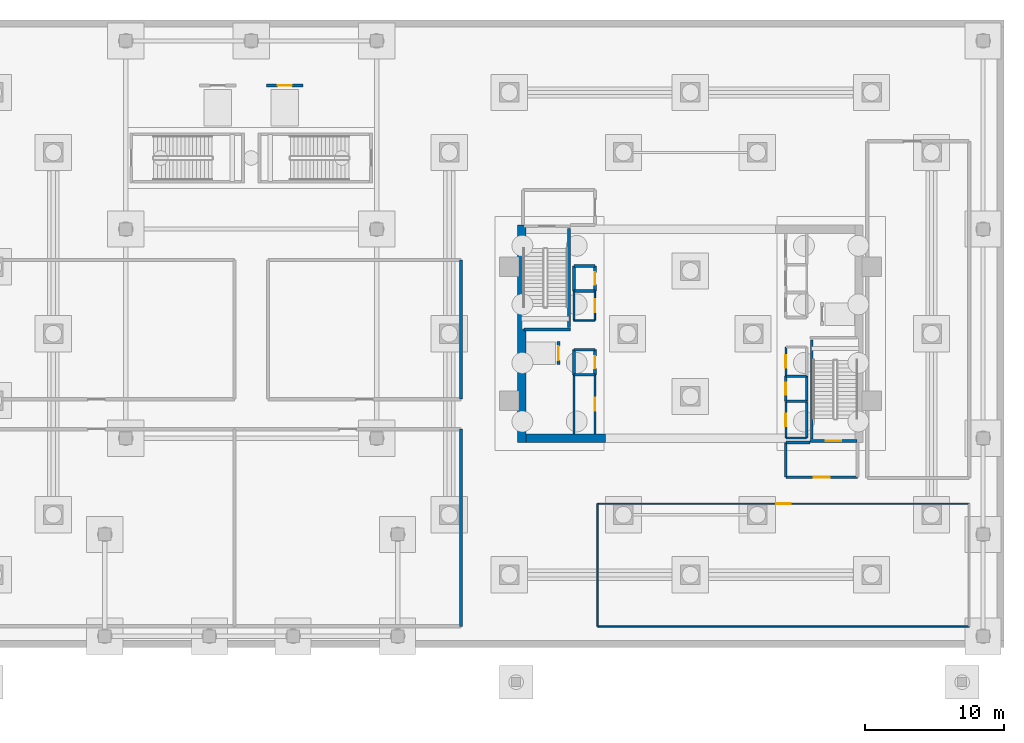
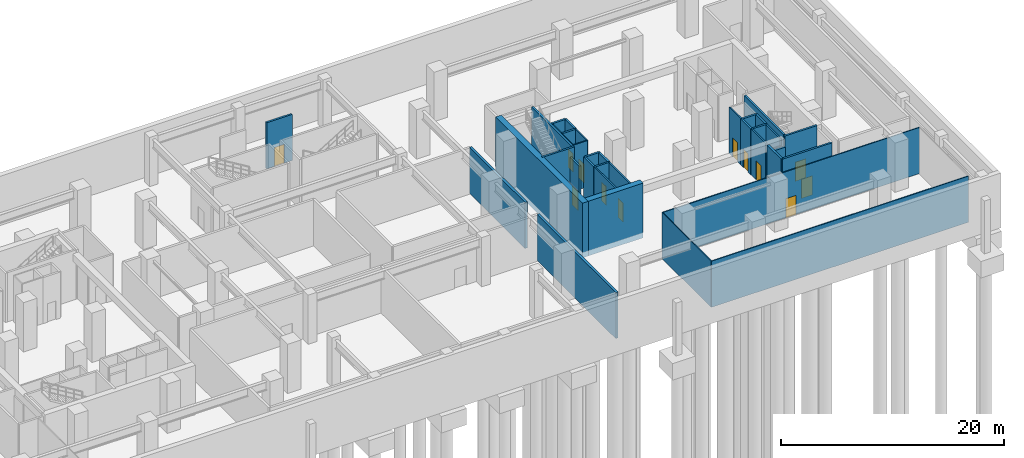
# One storey, part 9 of 14: 37 walls, 12 doors, 12 openings.
"""IFC4 building model written with IfcOpenShell, lengths in metres."""

from ifc_helpers import new_model, si_unit, direction, frame, frame_2d, origin, place, context, subcontext, project, spatial, rectangle, extrude, material, layer, layer_set, type_object, element, fill, save


model = new_model("IFC4")

# Units and contexts
model_context = context("Model", 3, precision=1e-05, world=origin(), true_north=direction((0.0, 1.0)))
body_context = subcontext(model_context, "Body", "Model", "MODEL_VIEW")
ifc_project = project(units=[si_unit("LENGTHUNIT", "METRE"), si_unit("AREAUNIT", "SQUARE_METRE"), si_unit("VOLUMEUNIT", "CUBIC_METRE"), si_unit("PLANEANGLEUNIT", "RADIAN"), si_unit("MASSUNIT", "GRAM", prefix="KILO")], contexts=[model_context])

# Site, building, storey
site_placement = place(None, origin())
site = spatial("IfcSite", under=ifc_project, at=site_placement, CompositionType="ELEMENT")
building_placement = place(site_placement, origin())
building = spatial("IfcBuilding", under=site, at=building_placement, Name="Thornwick Lancets Civic Towers", CompositionType="ELEMENT")
storey_placement = place(building_placement, frame((0.0, 0.0, -5.39990234375)))
storey = spatial("IfcBuildingStorey", under=building, at=storey_placement, Name="B01", CompositionType="ELEMENT", Elevation=-5.39990234375)

# Wall, opening, door
ifc_material_1 = material(Name="Concrete blockwork C40/50", Category="masonry")
ifc_layer_1 = layer(ifc_material_1, 0.199951171875, Name="Concrete blockwork C40/50")
ifc_layer_set_1 = layer_set([ifc_layer_1], Name="Concrete blockwork C40/50")
wall_type_1 = type_object("IfcWallType", Name="WALL_COMP_200", PredefinedType="STANDARD", material=ifc_layer_set_1)
wall_1_placement = place(storey_placement, frame((79.050048828125, 24.780029296875, 0.0), z_axis=(0.0, 0.0, 1.0), x_axis=(0.0, 1.0, 0.0)))
wall_1 = element("IfcWall", 1, at=wall_1_placement, inside=storey, type_object=wall_type_1, Name="B01 Hoistway Front Wall FL-B2", PredefinedType="STANDARD", context=body_context, shape_type="SweptSolid", body=[
    extrude(rectangle(XDim=1.639892578125, YDim=0.199951171875, at=frame_2d((0.81982421875, 0.0))), origin(), (0.0, 0.0, 1.0), 5.059814453125),
])
opening_1_placement = place(wall_1_placement, frame((0.31005859375, 0.0, 0.0)))
opening_1 = element("IfcOpeningElement", 2, at=opening_1_placement, cuts=wall_1, Name="Opening LD-FL-B2", PredefinedType="OPENING", context=body_context, shape_type="SweptSolid", body=[
    extrude(rectangle(XDim=1.02001953125, YDim=2.06005859375, at=frame_2d((0.510009765625, 1.030029296875))), frame((0.0, 0.10986328125, 0.0), z_axis=(0.0, -1.0, 0.0), x_axis=(1.0, 0.0, 0.0)), (0.0, 0.0, 1.0), 0.219970703125),
])
ifc_material_2 = material(Name="Brushed bronze stainless steel", Category="steel")
door_type_1 = type_object("IfcDoorType", Name="DOOR_LIFT_SLIDE", OperationType="SLIDING_TO_LEFT", PredefinedType="DOOR", material=ifc_material_2)
door_1_placement = place(opening_1_placement, origin())
door_1 = element("IfcDoor", 3, at=door_1_placement, inside=storey, type_object=door_type_1, Name="B01 Sliding Lift Landing Door LD-FL-B2", OperationType="SLIDING_TO_LEFT", OverallHeight=2.06005859375, OverallWidth=1.02001953125, PredefinedType="DOOR", context=body_context, shape_type="SweptSolid", body=[
    extrude(rectangle(XDim=1.02001953125, YDim=2.06005859375, at=frame_2d((0.510009765625, 1.030029296875))), frame((0.0, 0.02490234375, 0.0), z_axis=(0.0, -1.0, 0.0), x_axis=(1.0, 0.0, 0.0)), (0.0, 0.0, 1.0), 0.050048828125),
])
fill(opening_1, door_1)

wall_2_placement = place(storey_placement, frame((58.080078125, 44.800048828125, 0.0), z_axis=(0.0, 0.0, 1.0), x_axis=(1.0, 0.0, 0.0)))
wall_2 = element("IfcWall", 4, at=wall_2_placement, inside=storey, type_object=wall_type_1, Name="B01 Hoistway Front Wall GL-P2", PredefinedType="STANDARD", context=body_context, shape_type="SweptSolid", body=[
    extrude(rectangle(XDim=2.639892578125, YDim=0.199951171875, at=frame_2d((1.31982421875, 0.0))), origin(), (0.0, 0.0, 1.0), 5.059814453125),
])
opening_2_placement = place(wall_2_placement, frame((0.81005859375, 0.0, 0.0)))
opening_2 = element("IfcOpeningElement", 5, at=opening_2_placement, cuts=wall_2, Name="Opening LD-GL-P2", PredefinedType="OPENING", context=body_context, shape_type="SweptSolid", body=[
    extrude(rectangle(XDim=1.02001953125, YDim=2.06005859375, at=frame_2d((0.510009765625, 1.030029296875))), frame((0.0, 0.10986328125, 0.0), z_axis=(0.0, -1.0, 0.0), x_axis=(1.0, 0.0, 0.0)), (0.0, 0.0, 1.0), 0.219970703125),
])
door_2_placement = place(opening_2_placement, origin())
door_2 = element("IfcDoor", 6, at=door_2_placement, inside=storey, type_object=door_type_1, Name="B01 Sliding Lift Landing Door LD-GL-P2", OperationType="SLIDING_TO_LEFT", OverallHeight=2.06005859375, OverallWidth=1.02001953125, PredefinedType="DOOR", context=body_context, shape_type="SweptSolid", body=[
    extrude(rectangle(XDim=1.02001953125, YDim=2.06005859375, at=frame_2d((0.510009765625, 1.030029296875))), frame((0.0, 0.02490234375, 0.0), z_axis=(0.0, -1.0, 0.0), x_axis=(1.0, 0.0, 0.0)), (0.0, 0.0, 1.0), 0.050048828125),
])
fill(opening_2, door_2)

wall_3_placement = place(storey_placement, frame((95.35009765625, 16.699951171875, 0.0), z_axis=(0.0, 0.0, 1.0), x_axis=(1.0, 0.0, 0.0)))
wall_3 = element("IfcWall", 7, at=wall_3_placement, inside=storey, type_object=wall_type_1, Name="B01 Partition B01-B-FFLOB1 E1", PredefinedType="STANDARD", context=body_context, shape_type="SweptSolid", body=[
    extrude(rectangle(XDim=5.14990234375, YDim=0.199951171875, at=frame_2d((2.574951171875, 0.0))), origin(), (0.0, 0.0, 1.0), 5.059814453125),
])
opening_3_placement = place(wall_3_placement, frame((2.0, 0.0, 0.0)))
opening_3 = element("IfcOpeningElement", 8, at=opening_3_placement, cuts=wall_3, Name="Opening D-B01-0019", PredefinedType="OPENING", context=body_context, shape_type="SweptSolid", body=[
    extrude(rectangle(XDim=1.14990234375, YDim=2.10009765625, at=frame_2d((0.574951171875, 1.050048828125))), frame((0.0, 0.10986328125, 0.0), z_axis=(0.0, -1.0, 0.0), x_axis=(1.0, 0.0, 0.0)), (0.0, 0.0, 1.0), 0.219970703125),
])
ifc_material_3 = material(Name="Glazed fire-resisting steel", Category="steel")
door_type_2 = type_object("IfcDoorType", Name="DOOR_LOBBY_FD60", OperationType="NOTDEFINED", PredefinedType="DOOR", material=ifc_material_3)
door_3_placement = place(opening_3_placement, origin())
door_3 = element("IfcDoor", 9, at=door_3_placement, inside=storey, type_object=door_type_2, Name="B01 East Firefighting Lobby 1 Door", OperationType="SINGLE_SWING_RIGHT", OverallHeight=2.10009765625, OverallWidth=1.14990234375, PredefinedType="DOOR", context=body_context, shape_type="SweptSolid", body=[
    extrude(rectangle(XDim=1.14990234375, YDim=2.10009765625, at=frame_2d((0.574951171875, 1.050048828125))), frame((0.0, 0.02490234375, 0.0), z_axis=(0.0, -1.0, 0.0), x_axis=(1.0, 0.0, 0.0)), (0.0, 0.0, 1.0), 0.050048828125),
])
fill(opening_3, door_3)

# Walls
wall_4_placement = place(storey_placement, frame((97.10009765625, 19.199951171875, 0.0), z_axis=(0.0, 0.0, 1.0), x_axis=(-1.0, 0.0, 0.0)))
element("IfcWall", 10, at=wall_4_placement, inside=storey, type_object=wall_type_1, Name="B01 Partition B01-B-FFLOB1 E3", PredefinedType="STANDARD", context=body_context, shape_type="SweptSolid", body=[
    extrude(rectangle(XDim=1.75, YDim=0.199951171875, at=frame_2d((0.875, 0.0))), origin(), (0.0, 0.0, 1.0), 4.264892578125),
])
wall_5_placement = place(storey_placement, frame((95.35009765625, 19.199951171875, 0.0), z_axis=(0.0, 0.0, 1.0), x_axis=(0.0, -1.0, 0.0)))
element("IfcWall", 11, at=wall_5_placement, inside=storey, type_object=wall_type_1, Name="B01 Partition B01-B-FFLOB1 E4", PredefinedType="STANDARD", context=body_context, shape_type="SweptSolid", body=[
    extrude(rectangle(XDim=2.5, YDim=0.199951171875, at=frame_2d((1.25, 0.0))), origin(), (0.0, 0.0, 1.0), 5.059814453125),
])
wall_6_placement = place(storey_placement, frame((95.35009765625, 22.14990234375, 0.0), z_axis=(0.0, 0.0, 1.0), x_axis=(1.0, 0.0, 0.0)))
element("IfcWall", 12, at=wall_6_placement, inside=storey, type_object=wall_type_1, Name="B01 Partition B01-B-RISER1 E1", PredefinedType="STANDARD", context=body_context, shape_type="SweptSolid", body=[
    extrude(rectangle(XDim=1.5, YDim=0.199951171875, at=frame_2d((0.75, 0.0))), origin(), (0.0, 0.0, 1.0), 5.059814453125),
])
wall_7_placement = place(storey_placement, frame((96.85009765625, 22.14990234375, 0.0), z_axis=(0.0, 0.0, 1.0), x_axis=(0.0, 1.0, 0.0)))
element("IfcWall", 13, at=wall_7_placement, inside=storey, type_object=wall_type_1, Name="B01 Partition B01-B-RISER1 E2", PredefinedType="STANDARD", context=body_context, shape_type="SweptSolid", body=[
    extrude(rectangle(XDim=1.800048828125, YDim=0.199951171875, at=frame_2d((0.89990234375, 0.0))), origin(), (0.0, 0.0, 1.0), 5.059814453125),
])
wall_8_placement = place(storey_placement, frame((96.85009765625, 23.949951171875, 0.0), z_axis=(0.0, 0.0, 1.0), x_axis=(-1.0, 0.0, 0.0)))
element("IfcWall", 14, at=wall_8_placement, inside=storey, type_object=wall_type_1, Name="B01 Partition B01-B-RISER1 E3", PredefinedType="STANDARD", context=body_context, shape_type="SweptSolid", body=[
    extrude(rectangle(XDim=1.5, YDim=0.199951171875, at=frame_2d((0.75, 0.0))), origin(), (0.0, 0.0, 1.0), 5.059814453125),
])

# Wall, opening, door
wall_9_placement = place(storey_placement, frame((95.35009765625, 23.949951171875, 0.0), z_axis=(0.0, 0.0, 1.0), x_axis=(0.0, -1.0, 0.0)))
wall_9 = element("IfcWall", 15, at=wall_9_placement, inside=storey, type_object=wall_type_1, Name="B01 Partition B01-B-RISER1 E4", PredefinedType="STANDARD", context=body_context, shape_type="SweptSolid", body=[
    extrude(rectangle(XDim=1.800048828125, YDim=0.199951171875, at=frame_2d((0.89990234375, 0.0))), origin(), (0.0, 0.0, 1.0), 5.059814453125),
])
opening_4_placement = place(wall_9_placement, frame((0.4599609375, 0.0, 0.0)))
opening_4 = element("IfcOpeningElement", 16, at=opening_4_placement, cuts=wall_9, Name="Opening D-B01-0022", PredefinedType="OPENING", context=body_context, shape_type="SweptSolid", body=[
    extrude(rectangle(XDim=0.8798828125, YDim=2.0400390625, at=frame_2d((0.43994140625, 1.02001953125))), frame((0.0, 0.10986328125, 0.0), z_axis=(0.0, -1.0, 0.0), x_axis=(1.0, 0.0, 0.0)), (0.0, 0.0, 1.0), 0.219970703125),
])
ifc_material_4 = material(Name="Steel riser access doorset", Category="steel")
door_type_3 = type_object("IfcDoorType", Name="DOOR_RISER_850", OperationType="NOTDEFINED", PredefinedType="DOOR", material=ifc_material_4)
door_4_placement = place(opening_4_placement, origin())
door_4 = element("IfcDoor", 17, at=door_4_placement, inside=storey, type_object=door_type_3, Name="B01 East Electrical Riser 1 Door", OperationType="SINGLE_SWING_LEFT", OverallHeight=2.0400390625, OverallWidth=0.8798828125, PredefinedType="DOOR", context=body_context, shape_type="SweptSolid", body=[
    extrude(rectangle(XDim=0.8798828125, YDim=2.0400390625, at=frame_2d((0.43994140625, 1.02001953125))), frame((0.0, 0.02490234375, 0.0), z_axis=(0.0, -1.0, 0.0), x_axis=(1.0, 0.0, 0.0)), (0.0, 0.0, 1.0), 0.050048828125),
])
fill(opening_4, door_4)

# Wall
wall_10_placement = place(storey_placement, frame((80.14990234375, 24.050048828125, 0.0), z_axis=(0.0, 0.0, 1.0), x_axis=(1.0, 0.0, 0.0)))
element("IfcWall", 18, at=wall_10_placement, inside=storey, type_object=wall_type_1, Name="B01 Partition B01-B-DUCT2 E1", PredefinedType="STANDARD", context=body_context, shape_type="SweptSolid", body=[
    extrude(rectangle(XDim=1.5, YDim=0.199951171875, at=frame_2d((0.75, 0.0))), origin(), (0.0, 0.0, 1.0), 5.059814453125),
])

# Wall, opening, door
wall_11_placement = place(storey_placement, frame((81.64990234375, 24.050048828125, 0.0), z_axis=(0.0, 0.0, 1.0), x_axis=(0.0, 1.0, 0.0)))
wall_11 = element("IfcWall", 19, at=wall_11_placement, inside=storey, type_object=wall_type_1, Name="B01 Partition B01-B-DUCT2 E2", PredefinedType="STANDARD", context=body_context, shape_type="SweptSolid", body=[
    extrude(rectangle(XDim=1.800048828125, YDim=0.199951171875, at=frame_2d((0.89990234375, 0.0))), origin(), (0.0, 0.0, 1.0), 5.059814453125),
])
opening_5_placement = place(wall_11_placement, frame((0.4599609375, 0.0, 0.0)))
opening_5 = element("IfcOpeningElement", 20, at=opening_5_placement, cuts=wall_11, Name="Opening D-B01-0023", PredefinedType="OPENING", context=body_context, shape_type="SweptSolid", body=[
    extrude(rectangle(XDim=0.8798828125, YDim=2.0400390625, at=frame_2d((0.43994140625, 1.02001953125))), frame((0.0, 0.10986328125, 0.0), z_axis=(0.0, -1.0, 0.0), x_axis=(1.0, 0.0, 0.0)), (0.0, 0.0, 1.0), 0.219970703125),
])
door_5_placement = place(opening_5_placement, origin())
door_5 = element("IfcDoor", 21, at=door_5_placement, inside=storey, type_object=door_type_3, Name="B01 West Service Duct 2 Door", OperationType="SINGLE_SWING_RIGHT", OverallHeight=2.0400390625, OverallWidth=0.8798828125, PredefinedType="DOOR", context=body_context, shape_type="SweptSolid", body=[
    extrude(rectangle(XDim=0.8798828125, YDim=2.0400390625, at=frame_2d((0.43994140625, 1.02001953125))), frame((0.0, 0.02490234375, 0.0), z_axis=(0.0, -1.0, 0.0), x_axis=(1.0, 0.0, 0.0)), (0.0, 0.0, 1.0), 0.050048828125),
])
fill(opening_5, door_5)

# Walls
wall_12_placement = place(storey_placement, frame((81.64990234375, 25.85009765625, 0.0), z_axis=(0.0, 0.0, 1.0), x_axis=(-1.0, 0.0, 0.0)))
element("IfcWall", 22, at=wall_12_placement, inside=storey, type_object=wall_type_1, Name="B01 Partition B01-B-DUCT2 E3", PredefinedType="STANDARD", context=body_context, shape_type="SweptSolid", body=[
    extrude(rectangle(XDim=1.5, YDim=0.199951171875, at=frame_2d((0.75, 0.0))), origin(), (0.0, 0.0, 1.0), 5.059814453125),
])
wall_13_placement = place(storey_placement, frame((80.14990234375, 25.85009765625, 0.0), z_axis=(0.0, 0.0, 1.0), x_axis=(0.0, -1.0, 0.0)))
element("IfcWall", 23, at=wall_13_placement, inside=storey, type_object=wall_type_1, Name="B01 Partition B01-B-DUCT2 E4", PredefinedType="STANDARD", context=body_context, shape_type="SweptSolid", body=[
    extrude(rectangle(XDim=1.800048828125, YDim=0.199951171875, at=frame_2d((0.89990234375, 0.0))), origin(), (0.0, 0.0, 1.0), 5.059814453125),
])
wall_14_placement = place(storey_placement, frame((80.14990234375, 30.050048828125, 0.0), z_axis=(0.0, 0.0, 1.0), x_axis=(1.0, 0.0, 0.0)))
element("IfcWall", 24, at=wall_14_placement, inside=storey, type_object=wall_type_1, Name="B01 Partition B01-B-RISER2 E1", PredefinedType="STANDARD", context=body_context, shape_type="SweptSolid", body=[
    extrude(rectangle(XDim=1.5, YDim=0.199951171875, at=frame_2d((0.75, 0.0))), origin(), (0.0, 0.0, 1.0), 5.059814453125),
])

# Wall, opening, door
wall_15_placement = place(storey_placement, frame((81.64990234375, 30.050048828125, 0.0), z_axis=(0.0, 0.0, 1.0), x_axis=(0.0, 1.0, 0.0)))
wall_15 = element("IfcWall", 25, at=wall_15_placement, inside=storey, type_object=wall_type_1, Name="B01 Partition B01-B-RISER2 E2", PredefinedType="STANDARD", context=body_context, shape_type="SweptSolid", body=[
    extrude(rectangle(XDim=1.800048828125, YDim=0.199951171875, at=frame_2d((0.89990234375, 0.0))), origin(), (0.0, 0.0, 1.0), 5.059814453125),
])
opening_6_placement = place(wall_15_placement, frame((0.4599609375, 0.0, 0.0)))
opening_6 = element("IfcOpeningElement", 26, at=opening_6_placement, cuts=wall_15, Name="Opening D-B01-0024", PredefinedType="OPENING", context=body_context, shape_type="SweptSolid", body=[
    extrude(rectangle(XDim=0.8798828125, YDim=2.0400390625, at=frame_2d((0.43994140625, 1.02001953125))), frame((0.0, 0.10986328125, 0.0), z_axis=(0.0, -1.0, 0.0), x_axis=(1.0, 0.0, 0.0)), (0.0, 0.0, 1.0), 0.219970703125),
])
door_6_placement = place(opening_6_placement, origin())
door_6 = element("IfcDoor", 27, at=door_6_placement, inside=storey, type_object=door_type_3, Name="B01 West Service Riser 2 Door", OperationType="SINGLE_SWING_LEFT", OverallHeight=2.0400390625, OverallWidth=0.8798828125, PredefinedType="DOOR", context=body_context, shape_type="SweptSolid", body=[
    extrude(rectangle(XDim=0.8798828125, YDim=2.0400390625, at=frame_2d((0.43994140625, 1.02001953125))), frame((0.0, 0.02490234375, 0.0), z_axis=(0.0, -1.0, 0.0), x_axis=(1.0, 0.0, 0.0)), (0.0, 0.0, 1.0), 0.050048828125),
])
fill(opening_6, door_6)

# Walls
wall_16_placement = place(storey_placement, frame((81.64990234375, 31.85009765625, 0.0), z_axis=(0.0, 0.0, 1.0), x_axis=(-1.0, 0.0, 0.0)))
element("IfcWall", 28, at=wall_16_placement, inside=storey, type_object=wall_type_1, Name="B01 Partition B01-B-RISER2 E3", PredefinedType="STANDARD", context=body_context, shape_type="SweptSolid", body=[
    extrude(rectangle(XDim=1.5, YDim=0.199951171875, at=frame_2d((0.75, 0.0))), origin(), (0.0, 0.0, 1.0), 5.059814453125),
])
wall_17_placement = place(storey_placement, frame((80.14990234375, 31.85009765625, 0.0), z_axis=(0.0, 0.0, 1.0), x_axis=(0.0, -1.0, 0.0)))
element("IfcWall", 29, at=wall_17_placement, inside=storey, type_object=wall_type_1, Name="B01 Partition B01-B-RISER2 E4", PredefinedType="STANDARD", context=body_context, shape_type="SweptSolid", body=[
    extrude(rectangle(XDim=1.800048828125, YDim=0.199951171875, at=frame_2d((0.89990234375, 0.0))), origin(), (0.0, 0.0, 1.0), 5.059814453125),
])
ifc_layer_2 = layer(ifc_material_1, 0.239990234375, Name="Concrete blockwork C40/50")
ifc_layer_set_2 = layer_set([ifc_layer_2], Name="Concrete blockwork C40/50")
wall_type_2 = type_object("IfcWallType", Name="WALL_COMP_240", PredefinedType="STANDARD", material=ifc_layer_set_2)
wall_18_placement = place(storey_placement, frame((72.050048828125, 20.14990234375, 0.0), z_axis=(0.0, 0.0, 1.0), x_axis=(0.0, -1.0, 0.0)))
element("IfcWall", 30, at=wall_18_placement, inside=storey, type_object=wall_type_2, Name="B01 Partition B01-HV E4", PredefinedType="STANDARD", context=body_context, shape_type="SweptSolid", body=[
    extrude(rectangle(XDim=14.14990234375, YDim=0.239990234375, at=frame_2d((7.074951171875, 0.0))), origin(), (0.0, 0.0, 1.0), 5.059814453125),
])
wall_19_placement = place(storey_placement, frame((72.050048828125, 32.280029296875, 0.0), z_axis=(0.0, 0.0, 1.0), x_axis=(0.0, -1.0, 0.0)))
element("IfcWall", 31, at=wall_19_placement, inside=storey, type_object=wall_type_2, Name="B01 Partition B01-AHU E4", PredefinedType="STANDARD", context=body_context, shape_type="SweptSolid", body=[
    extrude(rectangle(XDim=9.97998046875, YDim=0.239990234375, at=frame_2d((4.989990234375, 0.0))), origin(), (0.0, 0.0, 1.0), 5.059814453125),
])
ifc_material_5 = material(Name="Concrete C60/75", Category="concrete")
ifc_layer_3 = layer(ifc_material_5, 0.60009765625, Name="Concrete C60/75")
ifc_layer_set_3 = layer_set([ifc_layer_3], Name="Concrete C60/75")
wall_type_3 = type_object("IfcWallType", Name="WALL_CORE_600", PredefinedType="SHEAR", material=ifc_layer_set_3)
wall_20_placement = place(storey_placement, frame((76.39990234375, 19.199951171875, -0.60009765625), z_axis=(0.0, 0.0, 1.0), x_axis=(0.0, 1.0, 0.0)))
element("IfcWall", 32, at=wall_20_placement, inside=storey, type_object=wall_type_3, Name="B01 Split Core B2 Shear Wall W", PredefinedType="SHEAR", context=body_context, shape_type="SweptSolid", body=[
    extrude(rectangle(XDim=15.60009765625, YDim=0.60009765625, at=frame_2d((7.800048828125, 0.0))), origin(), (0.0, 0.0, 1.0), 6.0),
])
wall_21_placement = place(storey_placement, frame((76.699951171875, 19.5, -0.60009765625), z_axis=(0.0, 0.0, 1.0), x_axis=(1.0, 0.0, 0.0)))
element("IfcWall", 33, at=wall_21_placement, inside=storey, type_object=wall_type_3, Name="B01 Split Core B2 Shear Wall S", PredefinedType="SHEAR", context=body_context, shape_type="SweptSolid", body=[
    extrude(rectangle(XDim=5.699951171875, YDim=0.60009765625, at=frame_2d((2.85009765625, 0.0))), origin(), (0.0, 0.0, 1.0), 6.0),
])
ifc_material_6 = material(Name="Lightweight cellular office partition")
ifc_layer_4 = layer(ifc_material_6, 0.10009765625, Name="Lightweight cellular office partition")
ifc_layer_set_4 = layer_set([ifc_layer_4], Name="Lightweight cellular office partition")
wall_type_4 = type_object("IfcWallType", Name="WALL_PART_100", PredefinedType="PARTITIONING", material=ifc_layer_set_4)
wall_22_placement = place(storey_placement, frame((108.5, 6.0, 0.0), z_axis=(0.0, 0.0, 1.0), x_axis=(-1.0, 0.0, 0.0)))
element("IfcWall", 34, at=wall_22_placement, inside=storey, type_object=wall_type_4, Name="B01 Partition B01-STORE E1", PredefinedType="PARTITIONING", context=body_context, shape_type="SweptSolid", body=[
    extrude(rectangle(XDim=26.64990234375, YDim=0.10009765625, at=frame_2d((13.324951171875, 0.0))), origin(), (0.0, 0.0, 1.0), 5.059814453125),
])
wall_23_placement = place(storey_placement, frame((81.85009765625, 6.0, 0.0), z_axis=(0.0, 0.0, 1.0), x_axis=(0.0, 1.0, 0.0)))
element("IfcWall", 35, at=wall_23_placement, inside=storey, type_object=wall_type_4, Name="B01 Partition B01-STORE E2", PredefinedType="PARTITIONING", context=body_context, shape_type="SweptSolid", body=[
    extrude(rectangle(XDim=8.800048828125, YDim=0.10009765625, at=frame_2d((4.39990234375, 0.0))), origin(), (0.0, 0.0, 1.0), 5.059814453125),
])

# Wall, opening, door
wall_24_placement = place(storey_placement, frame((81.85009765625, 14.800048828125, 0.0), z_axis=(0.0, 0.0, 1.0), x_axis=(1.0, 0.0, 0.0)))
wall_24 = element("IfcWall", 36, at=wall_24_placement, inside=storey, type_object=wall_type_4, Name="B01 Partition B01-STORE E3", PredefinedType="PARTITIONING", context=body_context, shape_type="SweptSolid", body=[
    extrude(rectangle(XDim=26.64990234375, YDim=0.10009765625, at=frame_2d((13.324951171875, 0.0))), origin(), (0.0, 0.0, 1.0), 5.059814453125),
])
opening_7_placement = place(wall_24_placement, frame((12.800048828125, 0.0, 0.0)))
opening_7 = element("IfcOpeningElement", 37, at=opening_7_placement, cuts=wall_24, Name="Opening D-B01-0034", PredefinedType="OPENING", context=body_context, shape_type="SweptSolid", body=[
    extrude(rectangle(XDim=1.050048828125, YDim=2.10009765625, at=frame_2d((0.52490234375, 1.050048828125))), frame((0.0, 0.06005859375, 0.0), z_axis=(0.0, -1.0, 0.0), x_axis=(1.0, 0.0, 0.0)), (0.0, 0.0, 1.0), 0.1201171875),
])
ifc_material_7 = material(Name="Glazed European oak executive doorset")
door_type_4 = type_object("IfcDoorType", Name="DOOR_OFFICE_1050", OperationType="NOTDEFINED", PredefinedType="DOOR", material=ifc_material_7)
door_7_placement = place(opening_7_placement, origin())
door_7 = element("IfcDoor", 38, at=door_7_placement, inside=storey, type_object=door_type_4, Name="Central Civic Records Store Door", OperationType="SINGLE_SWING_LEFT", OverallHeight=2.10009765625, OverallWidth=1.050048828125, PredefinedType="DOOR", context=body_context, shape_type="SweptSolid", body=[
    extrude(rectangle(XDim=1.050048828125, YDim=2.10009765625, at=frame_2d((0.52490234375, 1.050048828125))), frame((0.0, 0.02490234375, 0.0), z_axis=(0.0, -1.0, 0.0), x_axis=(1.0, 0.0, 0.0)), (0.0, 0.0, 1.0), 0.050048828125),
])
fill(opening_7, door_7)

# Walls
ifc_material_8 = material(Name="Acoustic gypsum board partition")
ifc_layer_5 = layer(ifc_material_8, 0.1201171875, Name="Acoustic gypsum board partition")
ifc_layer_set_5 = layer_set([ifc_layer_5], Name="Acoustic gypsum board partition")
wall_type_5 = type_object("IfcWallType", Name="WALL_PART_120", PredefinedType="PARTITIONING", material=ifc_layer_set_5)
wall_25_placement = place(storey_placement, frame((81.64990234375, 27.949951171875, 0.0), z_axis=(0.0, 0.0, 1.0), x_axis=(-1.0, 0.0, 0.0)))
element("IfcWall", 39, at=wall_25_placement, inside=storey, type_object=wall_type_5, Name="B01 Partition B01-B-ITR E1", PredefinedType="PARTITIONING", context=body_context, shape_type="SweptSolid", body=[
    extrude(rectangle(XDim=1.5, YDim=0.1201171875, at=frame_2d((0.75, 0.0))), origin(), (0.0, 0.0, 1.0), 5.059814453125),
])
wall_26_placement = place(storey_placement, frame((80.14990234375, 27.949951171875, 0.0), z_axis=(0.0, 0.0, 1.0), x_axis=(0.0, 1.0, 0.0)))
element("IfcWall", 40, at=wall_26_placement, inside=storey, type_object=wall_type_5, Name="B01 Partition B01-B-ITR E2", PredefinedType="PARTITIONING", context=body_context, shape_type="SweptSolid", body=[
    extrude(rectangle(XDim=2.10009765625, YDim=0.1201171875, at=frame_2d((1.050048828125, 0.0))), origin(), (0.0, 0.0, 1.0), 5.059814453125),
])

# Wall, opening, door
wall_27_placement = place(storey_placement, frame((81.64990234375, 30.050048828125, 0.0), z_axis=(0.0, 0.0, 1.0), x_axis=(0.0, -1.0, 0.0)))
wall_27 = element("IfcWall", 41, at=wall_27_placement, inside=storey, type_object=wall_type_5, Name="B01 Partition B01-B-ITR E4", PredefinedType="PARTITIONING", context=body_context, shape_type="SweptSolid", body=[
    extrude(rectangle(XDim=2.10009765625, YDim=0.1201171875, at=frame_2d((1.050048828125, 0.0))), origin(), (0.0, 0.0, 1.0), 5.059814453125),
])
opening_8_placement = place(wall_27_placement, frame((0.574951171875, 0.0, 0.0)))
opening_8 = element("IfcOpeningElement", 42, at=opening_8_placement, cuts=wall_27, Name="Opening D-B01-0030", PredefinedType="OPENING", context=body_context, shape_type="SweptSolid", body=[
    extrude(rectangle(XDim=0.949951171875, YDim=2.10009765625, at=frame_2d((0.47509765625, 1.050048828125))), frame((0.0, 0.070068359375, 0.0), z_axis=(0.0, -1.0, 0.0), x_axis=(1.0, 0.0, 0.0)), (0.0, 0.0, 1.0), 0.14013671875),
])
ifc_material_9 = material(Name="European oak acoustic doorset")
door_type_5 = type_object("IfcDoorType", Name="DOOR_OFFICE_950", OperationType="NOTDEFINED", PredefinedType="DOOR", material=ifc_material_9)
door_8_placement = place(opening_8_placement, origin())
door_8 = element("IfcDoor", 43, at=door_8_placement, inside=storey, type_object=door_type_5, Name="B01 Tower B Comms Patch Room Door", OperationType="SINGLE_SWING_LEFT", OverallHeight=2.10009765625, OverallWidth=0.949951171875, PredefinedType="DOOR", context=body_context, shape_type="SweptSolid", body=[
    extrude(rectangle(XDim=0.949951171875, YDim=2.10009765625, at=frame_2d((0.47509765625, 1.050048828125))), frame((0.0, 0.02490234375, 0.0), z_axis=(0.0, -1.0, 0.0), x_axis=(1.0, 0.0, 0.0)), (0.0, 0.0, 1.0), 0.050048828125),
])
fill(opening_8, door_8)

# Walls
ifc_material_10 = material(Name="Twin-stud acoustic gypsum board")
ifc_layer_6 = layer(ifc_material_10, 0.14990234375, Name="Twin-stud acoustic gypsum board")
ifc_layer_set_6 = layer_set([ifc_layer_6], Name="Twin-stud acoustic gypsum board")
wall_type_6 = type_object("IfcWallType", Name="WALL_PART_150", PredefinedType="PARTITIONING", material=ifc_layer_set_6)
wall_28_placement = place(storey_placement, frame((95.35009765625, 19.5, 0.0), z_axis=(0.0, 0.0, 1.0), x_axis=(1.0, 0.0, 0.0)))
element("IfcWall", 44, at=wall_28_placement, inside=storey, type_object=wall_type_6, Name="B01 Partition B01-B-MWC E1", PredefinedType="PARTITIONING", context=body_context, shape_type="SweptSolid", body=[
    extrude(rectangle(XDim=1.5, YDim=0.14990234375, at=frame_2d((0.75, 0.0))), origin(), (0.0, 0.0, 1.0), 4.264892578125),
])
wall_29_placement = place(storey_placement, frame((96.85009765625, 19.5, 0.0), z_axis=(0.0, 0.0, 1.0), x_axis=(0.0, 1.0, 0.0)))
element("IfcWall", 45, at=wall_29_placement, inside=storey, type_object=wall_type_6, Name="B01 Partition B01-B-MWC E2", PredefinedType="PARTITIONING", context=body_context, shape_type="SweptSolid", body=[
    extrude(rectangle(XDim=2.60009765625, YDim=0.14990234375, at=frame_2d((1.300048828125, 0.0))), origin(), (0.0, 0.0, 1.0), 5.059814453125),
])

# Wall, opening, door
wall_30_placement = place(storey_placement, frame((95.35009765625, 22.10009765625, 0.0), z_axis=(0.0, 0.0, 1.0), x_axis=(0.0, -1.0, 0.0)))
wall_30 = element("IfcWall", 46, at=wall_30_placement, inside=storey, type_object=wall_type_6, Name="B01 Partition B01-B-MWC E4", PredefinedType="PARTITIONING", context=body_context, shape_type="SweptSolid", body=[
    extrude(rectangle(XDim=2.60009765625, YDim=0.14990234375, at=frame_2d((1.300048828125, 0.0))), origin(), (0.0, 0.0, 1.0), 5.059814453125),
])
opening_9_placement = place(wall_30_placement, frame((0.840087890625, 0.0, 0.0)))
opening_9 = element("IfcOpeningElement", 47, at=opening_9_placement, cuts=wall_30, Name="Opening D-B01-0025", PredefinedType="OPENING", context=body_context, shape_type="SweptSolid", body=[
    extrude(rectangle(XDim=0.919921875, YDim=2.080078125, at=frame_2d((0.4599609375, 1.0400390625))), frame((0.0, 0.0849609375, 0.0), z_axis=(0.0, -1.0, 0.0), x_axis=(1.0, 0.0, 0.0)), (0.0, 0.0, 1.0), 0.169921875),
])
ifc_material_11 = material(Name="Moisture-resistant oak doorset")
door_type_6 = type_object("IfcDoorType", Name="DOOR_WC_900", OperationType="NOTDEFINED", PredefinedType="DOOR", material=ifc_material_11)
door_9_placement = place(opening_9_placement, origin())
door_9 = element("IfcDoor", 48, at=door_9_placement, inside=storey, type_object=door_type_6, Name="B01 Tower B Male WC Door", OperationType="SINGLE_SWING_RIGHT", OverallHeight=2.080078125, OverallWidth=0.919921875, PredefinedType="DOOR", context=body_context, shape_type="SweptSolid", body=[
    extrude(rectangle(XDim=0.919921875, YDim=2.080078125, at=frame_2d((0.4599609375, 1.0400390625))), frame((0.0, 0.02490234375, 0.0), z_axis=(0.0, -1.0, 0.0), x_axis=(1.0, 0.0, 0.0)), (0.0, 0.0, 1.0), 0.050048828125),
])
fill(opening_9, door_9)

wall_31_placement = place(storey_placement, frame((95.35009765625, 23.949951171875, 0.0), z_axis=(0.0, 0.0, 1.0), x_axis=(0.0, 1.0, 0.0)))
wall_31 = element("IfcWall", 49, at=wall_31_placement, inside=storey, type_object=wall_type_6, Name="B01 Partition B01-B-AWC E1", PredefinedType="PARTITIONING", context=body_context, shape_type="SweptSolid", body=[
    extrude(rectangle(XDim=2.10009765625, YDim=0.14990234375, at=frame_2d((1.050048828125, 0.0))), origin(), (0.0, 0.0, 1.0), 5.059814453125),
])
opening_10_placement = place(wall_31_placement, frame((0.590087890625, 0.0, 0.0)))
opening_10 = element("IfcOpeningElement", 50, at=opening_10_placement, cuts=wall_31, Name="Opening D-B01-0026", PredefinedType="OPENING", context=body_context, shape_type="SweptSolid", body=[
    extrude(rectangle(XDim=0.919921875, YDim=2.080078125, at=frame_2d((0.4599609375, 1.0400390625))), frame((0.0, 0.0849609375, 0.0), z_axis=(0.0, -1.0, 0.0), x_axis=(1.0, 0.0, 0.0)), (0.0, 0.0, 1.0), 0.169921875),
])
door_10_placement = place(opening_10_placement, origin())
door_10 = element("IfcDoor", 51, at=door_10_placement, inside=storey, type_object=door_type_6, Name="B01 Tower B Accessible WC Door", OperationType="SINGLE_SWING_LEFT", OverallHeight=2.080078125, OverallWidth=0.919921875, PredefinedType="DOOR", context=body_context, shape_type="SweptSolid", body=[
    extrude(rectangle(XDim=0.919921875, YDim=2.080078125, at=frame_2d((0.4599609375, 1.0400390625))), frame((0.0, 0.02490234375, 0.0), z_axis=(0.0, -1.0, 0.0), x_axis=(1.0, 0.0, 0.0)), (0.0, 0.0, 1.0), 0.050048828125),
])
fill(opening_10, door_10)

# Wall
wall_32_placement = place(storey_placement, frame((80.14990234375, 19.800048828125, 0.0), z_axis=(0.0, 0.0, 1.0), x_axis=(0.0, 1.0, 0.0)))
element("IfcWall", 52, at=wall_32_placement, inside=storey, type_object=wall_type_6, Name="B01 Partition B01-B-FWC E2", PredefinedType="PARTITIONING", context=body_context, shape_type="SweptSolid", body=[
    extrude(rectangle(XDim=4.25, YDim=0.14990234375, at=frame_2d((2.125, 0.0))), origin(), (0.0, 0.0, 1.0), 5.059814453125),
])

# Wall, opening, door
wall_33_placement = place(storey_placement, frame((81.64990234375, 24.050048828125, 0.0), z_axis=(0.0, 0.0, 1.0), x_axis=(0.0, -1.0, 0.0)))
wall_33 = element("IfcWall", 53, at=wall_33_placement, inside=storey, type_object=wall_type_6, Name="B01 Partition B01-B-FWC E4", PredefinedType="PARTITIONING", context=body_context, shape_type="SweptSolid", body=[
    extrude(rectangle(XDim=4.25, YDim=0.14990234375, at=frame_2d((2.125, 0.0))), origin(), (0.0, 0.0, 1.0), 5.059814453125),
])
opening_11_placement = place(wall_33_placement, frame((1.6650390625, 0.0, 0.0)))
opening_11 = element("IfcOpeningElement", 54, at=opening_11_placement, cuts=wall_33, Name="Opening D-B01-0029", PredefinedType="OPENING", context=body_context, shape_type="SweptSolid", body=[
    extrude(rectangle(XDim=0.919921875, YDim=2.080078125, at=frame_2d((0.4599609375, 1.0400390625))), frame((0.0, 0.0849609375, 0.0), z_axis=(0.0, -1.0, 0.0), x_axis=(1.0, 0.0, 0.0)), (0.0, 0.0, 1.0), 0.169921875),
])
door_11_placement = place(opening_11_placement, origin())
door_11 = element("IfcDoor", 55, at=door_11_placement, inside=storey, type_object=door_type_6, Name="B01 Tower B Female WC Door", OperationType="SINGLE_SWING_RIGHT", OverallHeight=2.080078125, OverallWidth=0.919921875, PredefinedType="DOOR", context=body_context, shape_type="SweptSolid", body=[
    extrude(rectangle(XDim=0.919921875, YDim=2.080078125, at=frame_2d((0.4599609375, 1.0400390625))), frame((0.0, 0.02490234375, 0.0), z_axis=(0.0, -1.0, 0.0), x_axis=(1.0, 0.0, 0.0)), (0.0, 0.0, 1.0), 0.050048828125),
])
fill(opening_11, door_11)

ifc_material_12 = material(Name="Concrete C40/50", Category="concrete")
ifc_layer_7 = layer(ifc_material_12, 0.199951171875, Name="Concrete C40/50")
ifc_layer_set_7 = layer_set([ifc_layer_7], Name="Concrete C40/50")
wall_type_7 = type_object("IfcWallType", Name="WALL_SHAFT_200", PredefinedType="SHEAR", material=ifc_layer_set_7)
wall_34_placement = place(storey_placement, frame((100.449951171875, 19.300048828125, -0.60009765625), z_axis=(0.0, 0.0, 1.0), x_axis=(-1.0, 0.0, 0.0)))
wall_34 = element("IfcWall", 56, at=wall_34_placement, inside=storey, type_object=wall_type_7, Name="B01 ST-B1 Fire Stair Core Wall NEAR", PredefinedType="SHEAR", context=body_context, shape_type="SweptSolid", body=[
    extrude(rectangle(XDim=3.349853515625, YDim=0.199951171875, at=frame_2d((1.6748046875, 0.0))), origin(), (0.0, 0.0, 1.0), 6.0),
])
opening_12_placement = place(wall_34_placement, frame((1.125, 0.0, 0.60009765625)))
opening_12 = element("IfcOpeningElement", 57, at=opening_12_placement, cuts=wall_34, Name="Opening D-ST-B1-B01", PredefinedType="OPENING", context=body_context, shape_type="SweptSolid", body=[
    extrude(rectangle(XDim=1.10009765625, YDim=2.10009765625, at=frame_2d((0.550048828125, 1.050048828125))), frame((0.0, 0.10986328125, 0.0), z_axis=(0.0, -1.0, 0.0), x_axis=(1.0, 0.0, 0.0)), (0.0, 0.0, 1.0), 0.219970703125),
])
ifc_material_13 = material(Name="Fire-resisting steel and hardwood", Category="steel")
door_type_7 = type_object("IfcDoorType", Name="DOOR_STAIR_FD60", OperationType="NOTDEFINED", PredefinedType="DOOR", material=ifc_material_13)
door_12_placement = place(opening_12_placement, origin())
door_12 = element("IfcDoor", 58, at=door_12_placement, inside=storey, type_object=door_type_7, Name="B01 ST-B1 Exit Stair Door", OperationType="SINGLE_SWING_RIGHT", OverallHeight=2.10009765625, OverallWidth=1.10009765625, PredefinedType="DOOR", context=body_context, shape_type="SweptSolid", body=[
    extrude(rectangle(XDim=1.10009765625, YDim=2.10009765625, at=frame_2d((0.550048828125, 1.050048828125))), frame((0.0, 0.02490234375, 0.0), z_axis=(0.0, -1.0, 0.0), x_axis=(1.0, 0.0, 0.0)), (0.0, 0.0, 1.0), 0.050048828125),
])
fill(opening_12, door_12)

# Walls
wall_35_placement = place(storey_placement, frame((97.202880859375, 26.550048828125, -0.60009765625), z_axis=(0.0, 0.0, 1.0), x_axis=(0.0, -1.0, 0.0)))
element("IfcWall", 59, at=wall_35_placement, inside=storey, type_object=wall_type_7, Name="B01 ST-B1 Fire Stair Core Wall RIGHT", PredefinedType="SHEAR", context=body_context, shape_type="SweptSolid", body=[
    extrude(rectangle(XDim=7.10009765625, YDim=0.199951171875, at=frame_2d((3.550048828125, 0.0))), origin(), (0.0, 0.0, 1.0), 6.0),
])
wall_36_placement = place(storey_placement, frame((79.89990234375, 27.300048828125, -0.60009765625), z_axis=(0.0, 0.0, 1.0), x_axis=(-1.0, 0.0, 0.0)))
element("IfcWall", 60, at=wall_36_placement, inside=storey, type_object=wall_type_7, Name="B01 ST-B2 Fire Stair Core Wall FAR", PredefinedType="SHEAR", context=body_context, shape_type="SweptSolid", body=[
    extrude(rectangle(XDim=3.349853515625, YDim=0.199951171875, at=frame_2d((1.6748046875, 0.0))), origin(), (0.0, 0.0, 1.0), 6.0),
])
wall_37_placement = place(storey_placement, frame((79.797119140625, 27.449951171875, -0.60009765625), z_axis=(0.0, 0.0, 1.0), x_axis=(0.0, 1.0, 0.0)))
element("IfcWall", 61, at=wall_37_placement, inside=storey, type_object=wall_type_7, Name="B01 ST-B2 Fire Stair Core Wall RIGHT", PredefinedType="SHEAR", context=body_context, shape_type="SweptSolid", body=[
    extrude(rectangle(XDim=7.10009765625, YDim=0.199951171875, at=frame_2d((3.550048828125, 0.0))), origin(), (0.0, 0.0, 1.0), 6.0),
])

save(model, "model.ifc")
